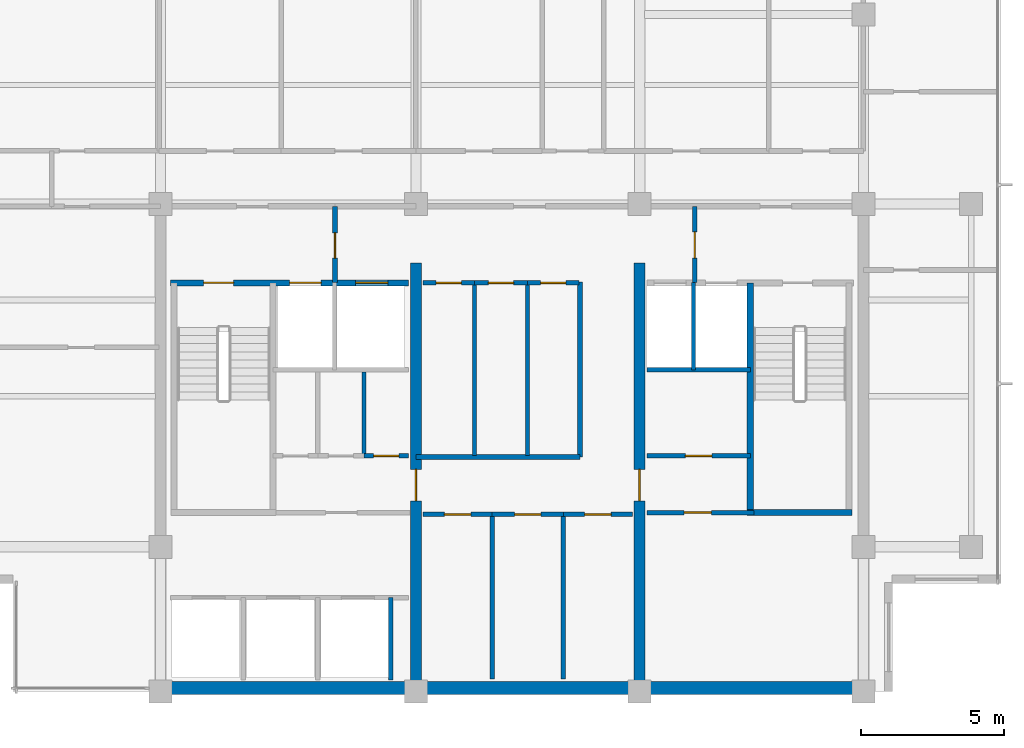
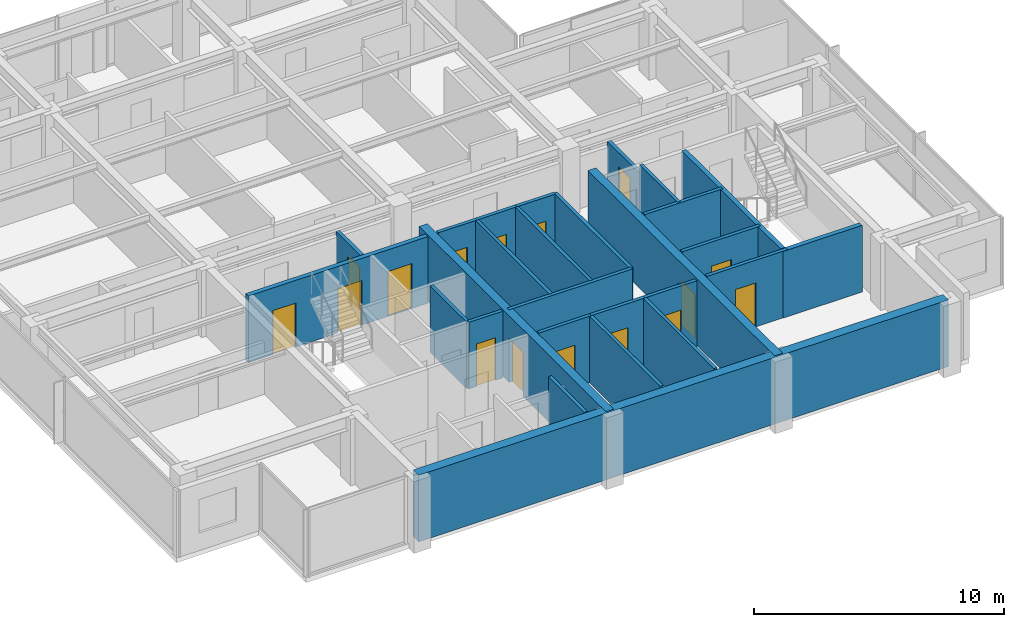
# One storey, part 6 of 11: 27 walls, 16 doors, 16 openings.
"""IFC4 building model written with IfcOpenShell, lengths in metres."""

import ifcopenshell
import ifcopenshell.guid

model = None  # the IFC model being written
_history = None  # IfcOwnerHistory: only IFC2X3 demands one
_inside = {}  # id of a spatial element -> (the spatial element, [elements in it])
_under = {}  # id of a project, library or spatial element -> (it, [spatial elements below it])
_declared = {}  # id of a project -> (the project, [libraries it declares])
_typed = {}  # id of a type object -> (the type object, [elements of that type])
_made_of = {}  # id of a material, layer set ... -> (it, [elements and type objects made of it])


def new_model(schema):
    """Start an empty IFC model of exactly this schema.

    Asked for "IFC4X3", IfcOpenShell would pick the latest addendum, in which some entities
    have other attributes; the version numbers below select the first issue.
    IFC2X3 requires an IfcOwnerHistory on every rooted entity: one is made here for all.
    """
    global model, _history
    if schema == "IFC4X3":
        model = ifcopenshell.file(schema_version=(4, 3, 0, 0))
    else:
        model = ifcopenshell.file(schema=schema)
    _inside.clear()
    _under.clear()
    _declared.clear()
    _typed.clear()
    _made_of.clear()
    _history = None
    if model.schema == "IFC2X3":
        org = make("IfcOrganization", Name="unknown")
        user = make(
            "IfcPersonAndOrganization",
            ThePerson=make("IfcPerson", FamilyName="unknown"),
            TheOrganization=org,
        )
        app = make(
            "IfcApplication",
            ApplicationDeveloper=org,
            Version="unknown",
            ApplicationFullName="unknown",
            ApplicationIdentifier="unknown",
        )
        _history = make(
            "IfcOwnerHistory",
            OwningUser=user,
            OwningApplication=app,
            ChangeAction="ADDED",
            CreationDate=0,
        )
    return model


def make(cls, **values):
    """One entity of the class cls with the attributes given. An attribute that is None is left unset."""
    return model.create_entity(
        cls, **{name: value for name, value in values.items() if value is not None}
    )


def rooted(cls, **values):
    """An entity with a GlobalId (a new one), such as an element, a storey or a relation."""
    return make(cls, GlobalId=ifcopenshell.guid.new(), OwnerHistory=_history, **values)


def si_unit(unit_type, name, prefix=None):
    """IfcSIUnit, for example si_unit("LENGTHUNIT", "METRE", prefix="MILLI")."""
    return make("IfcSIUnit", UnitType=unit_type, Prefix=prefix, Name=name)


def assignment(units):
    """IfcUnitAssignment: the units of a project."""
    return None if units is None else make("IfcUnitAssignment", Units=units)


def point(xyz):
    """IfcCartesianPoint."""
    return None if xyz is None else make("IfcCartesianPoint", Coordinates=xyz)


def direction(xyz):
    """IfcDirection."""
    return None if xyz is None else make("IfcDirection", DirectionRatios=xyz)


def frame(location, z_axis=None, x_axis=None):
    """IfcAxis2Placement3D, a coordinate frame: its origin and axes. An axis left out is left unset."""
    return make(
        "IfcAxis2Placement3D",
        Location=point(location),
        Axis=direction(z_axis),
        RefDirection=direction(x_axis),
    )


def frame_2d(location, x_axis=None):
    """IfcAxis2Placement2D, a coordinate frame in the plane: its origin and x axis."""
    return make(
        "IfcAxis2Placement2D", Location=point(location), RefDirection=direction(x_axis)
    )


def origin():
    """The frame at (0, 0, 0) with its axes left unset."""
    return frame((0.0, 0.0, 0.0))


def place(relative_to, where):
    """IfcLocalPlacement: puts the frame where relative to a parent placement (None: the world)."""
    return make(
        "IfcLocalPlacement", PlacementRelTo=relative_to, RelativePlacement=where
    )


def context(
    kind, dimensions, precision=None, world=None, true_north=None, identifier=None
):
    """IfcGeometricRepresentationContext, for example the 3D "Model" context."""
    return make(
        "IfcGeometricRepresentationContext",
        ContextIdentifier=identifier,
        ContextType=kind,
        CoordinateSpaceDimension=dimensions,
        Precision=precision,
        WorldCoordinateSystem=world,
        TrueNorth=true_north,
    )


def subcontext(parent, identifier, kind, view, scale=None):
    """IfcGeometricRepresentationSubContext, for example "Body" below "Model"."""
    return make(
        "IfcGeometricRepresentationSubContext",
        ContextIdentifier=identifier,
        ContextType=kind,
        ParentContext=parent,
        TargetScale=scale,
        TargetView=view,
    )


def project(units=None, contexts=None):
    """IfcProject with its units and contexts."""
    return rooted(
        "IfcProject",
        Name="project",
        RepresentationContexts=contexts,
        UnitsInContext=assignment(units),
    )


def spatial(cls, under=None, at=None, **own):
    """A site, building, storey or space (cls), placed at a placement, below another one or the project."""
    s = rooted(cls, ObjectPlacement=at, **own)
    if under is not None:
        _under.setdefault(under.id(), (under, []))[1].append(s)
    return s


def profile(cls, at=None, kind="AREA", **sizes):
    """A parametric profile (cls). Its sizes go by their IFC names, for example OverallWidth=200.0."""
    return make(cls, ProfileType=kind, Position=at, **sizes)


def rectangle(**sizes):
    """IfcRectangleProfileDef."""
    return profile("IfcRectangleProfileDef", **sizes)


def extrude(swept, where, along, depth):
    """IfcExtrudedAreaSolid: the profile swept, set in the frame where, extruded along a direction by depth."""
    return make(
        "IfcExtrudedAreaSolid",
        SweptArea=swept,
        Position=where,
        ExtrudedDirection=direction(along),
        Depth=depth,
    )


def shape(context_of_items, identifier, shape_type, items):
    """IfcShapeRepresentation: the items that make up one representation, for example the "Body"."""
    return make(
        "IfcShapeRepresentation",
        ContextOfItems=context_of_items,
        RepresentationIdentifier=identifier,
        RepresentationType=shape_type,
        Items=items,
    )


def material(Name=None, Category=None):
    """IfcMaterial."""
    return make("IfcMaterial", Name=Name, Category=Category)


def layer(
    of_material, thickness, ventilated=None, Name=None, Category=None, Priority=None
):
    """IfcMaterialLayer: one layer of a wall or slab, of a material (None: an air gap)."""
    return make(
        "IfcMaterialLayer",
        Material=of_material,
        LayerThickness=thickness,
        IsVentilated=ventilated,
        Name=Name,
        Category=Category,
        Priority=Priority,
    )


def layer_set(layers, Name=None):
    """IfcMaterialLayerSet."""
    return make("IfcMaterialLayerSet", MaterialLayers=layers, LayerSetName=Name)


def made_of(thing, what):
    """Note that an element or type object is made of a material, layer set ...; save() writes the relation."""
    if what is not None:
        _made_of.setdefault(what.id(), (what, []))[1].append(thing)
    return thing


def type_object(cls, material=None, **own):
    """A type object (cls), such as IfcWallType, which elements share."""
    return made_of(rooted(cls, **own), material)


def element(
    cls,
    number,
    at=None,
    inside=None,
    cuts=None,
    type_object=None,
    material=None,
    context=None,
    identifier="Body",
    shape_type=None,
    held_by="IfcProductDefinitionShape",
    body=None,
    shapes=None,
    **own,
):
    """One element of the class cls, such as IfcWall. Its Tag is "e" and its number.

    at: its placement. inside: the storey or other place that contains it. cuts: it is an
    opening in that element (IfcRelVoidsElement). A single representation is given by context,
    identifier, shape_type and body (its items); several are given by shapes. held_by: the class
    of the entity that holds the representations. save() writes the other relations.
    """
    e = rooted(cls, Tag="e%d" % number, ObjectPlacement=at, **own)
    if body is not None:
        shapes = [shape(context, identifier, shape_type, body)]
    if shapes is not None:
        e.Representation = make(held_by, Representations=shapes)
    if inside is not None:
        _inside.setdefault(inside.id(), (inside, []))[1].append(e)
    if cuts is not None:
        rooted(
            "IfcRelVoidsElement", RelatingBuildingElement=cuts, RelatedOpeningElement=e
        )
    if type_object is not None:
        _typed.setdefault(type_object.id(), (type_object, []))[1].append(e)
    return made_of(e, material)


def fill(opening, filler):
    """IfcRelFillsElement: the door or window that sits in an opening."""
    return rooted(
        "IfcRelFillsElement",
        RelatingOpeningElement=opening,
        RelatedBuildingElement=filler,
    )


def aggregate(whole, parts):
    """IfcRelAggregates: a whole, such as a stair, and the parts it consists of."""
    return rooted("IfcRelAggregates", RelatingObject=whole, RelatedObjects=parts)


def save(model, path):
    """Write the relations noted so far, then the file.

    IfcRelAggregates (storeys below a building ...), IfcRelContainedInSpatialStructure (elements
    in a storey), IfcRelDefinesByType, IfcRelAssociatesMaterial and IfcRelDeclares: one each for
    every whole, place, type object, material and project.
    """
    for whole, parts in _under.values():
        aggregate(whole, parts)
    for where, things in _inside.values():
        rooted(
            "IfcRelContainedInSpatialStructure",
            RelatedElements=things,
            RelatingStructure=where,
        )
    for kind, things in _typed.values():
        rooted("IfcRelDefinesByType", RelatedObjects=things, RelatingType=kind)
    for what, things in _made_of.values():
        rooted("IfcRelAssociatesMaterial", RelatedObjects=things, RelatingMaterial=what)
    for by, libraries in _declared.values():
        rooted("IfcRelDeclares", RelatingContext=by, RelatedDefinitions=libraries)
    model.write(path)


model = new_model("IFC4")

# Units and contexts
model_context = context("Model", 3, precision=1e-05, world=origin(), true_north=direction((0.0, 1.0)))
body_context = subcontext(model_context, "Body", "Model", "MODEL_VIEW")
ifc_project = project(units=[si_unit("LENGTHUNIT", "METRE"), si_unit("AREAUNIT", "SQUARE_METRE"), si_unit("VOLUMEUNIT", "CUBIC_METRE"), si_unit("PLANEANGLEUNIT", "RADIAN"), si_unit("MASSUNIT", "GRAM", prefix="KILO")], contexts=[model_context])

# Site, building, storey
site_placement = place(None, origin())
site = spatial("IfcSite", under=ifc_project, at=site_placement, CompositionType="ELEMENT")
building_placement = place(site_placement, origin())
building = spatial("IfcBuilding", under=site, at=building_placement, Name="Qalmaran Belvedere Hotel", CompositionType="ELEMENT")
storey_placement = place(building_placement, frame((0.0, 0.0, 256.39990234375)))
storey = spatial("IfcBuildingStorey", under=building, at=storey_placement, Name="L66", CompositionType="ELEMENT", Elevation=256.39990234375)

# Wall, opening, door
ifc_material_1 = material(Name="Concrete C50/60", Category="concrete")
ifc_layer_1 = layer(ifc_material_1, 0.3798828125, Name="Concrete C50/60")
ifc_layer_set_1 = layer_set([ifc_layer_1], Name="Concrete C50/60")
wall_type_1 = type_object("IfcWallType", Name="WL-CORE-380-C50", PredefinedType="SHEAR", material=ifc_layer_set_1)
wall_1_placement = place(storey_placement, frame((29.199951171875, 3.5, 0.0), z_axis=(0.0, 0.0, 1.0), x_axis=(0.0, 1.0, 0.0)))
wall_1 = element("IfcWall", 1, at=wall_1_placement, inside=storey, type_object=wall_type_1, Name="L66 Core West Spine Shear Wall", PredefinedType="SHEAR", context=body_context, shape_type="SweptSolid", body=[
    extrude(rectangle(XDim=14.949951171875, YDim=0.3798828125, at=frame_2d((7.47509765625, 0.0))), origin(), (0.0, 0.0, 1.0), 3.260009765625),
])
opening_1_placement = place(wall_1_placement, frame((7.75, 0.0, 0.0), z_axis=(0.0, 0.0, 1.0), x_axis=(-1.0, 0.0, 0.0)))
opening_1 = element("IfcOpeningElement", 2, at=opening_1_placement, cuts=wall_1, Name="Opening FD90", PredefinedType="OPENING", context=body_context, shape_type="SweptSolid", body=[
    extrude(rectangle(XDim=1.10009765625, YDim=2.14990234375, at=frame_2d((0.550048828125, 1.074951171875))), frame((0.0, 0.199951171875, 0.0), z_axis=(0.0, -1.0, 0.0), x_axis=(1.0, 0.0, 0.0)), (0.0, 0.0, 1.0), 0.39990234375),
])
ifc_material_2 = material(Name="Steel S355JR", Category="steel")
door_type_1 = type_object("IfcDoorType", Name="DR-FD90-1100X2150", OperationType="NOTDEFINED", PredefinedType="DOOR", material=ifc_material_2)
door_1_placement = place(opening_1_placement, origin())
door_1 = element("IfcDoor", 3, at=door_1_placement, inside=storey, type_object=door_type_1, Name="L66 Core West Cross-Lobby Door", OperationType="SINGLE_SWING_RIGHT", OverallHeight=2.14990234375, OverallWidth=1.10009765625, PredefinedType="DOOR", context=body_context, shape_type="SweptSolid", body=[
    extrude(rectangle(XDim=1.10009765625, YDim=2.14990234375, at=frame_2d((0.550048828125, 1.074951171875))), frame((0.0, 0.02490234375, 0.0), z_axis=(0.0, -1.0, 0.0), x_axis=(1.0, 0.0, 0.0)), (0.0, 0.0, 1.0), 0.050048828125),
])
fill(opening_1, door_1)

wall_2_placement = place(storey_placement, frame((37.0, 3.5, 0.0), z_axis=(0.0, 0.0, 1.0), x_axis=(0.0, 1.0, 0.0)))
wall_2 = element("IfcWall", 4, at=wall_2_placement, inside=storey, type_object=wall_type_1, Name="L66 Core East Spine Shear Wall", PredefinedType="SHEAR", context=body_context, shape_type="SweptSolid", body=[
    extrude(rectangle(XDim=14.949951171875, YDim=0.3798828125, at=frame_2d((7.47509765625, 0.0))), origin(), (0.0, 0.0, 1.0), 3.260009765625),
])
opening_2_placement = place(wall_2_placement, frame((6.64990234375, 0.0, 0.0)))
opening_2 = element("IfcOpeningElement", 5, at=opening_2_placement, cuts=wall_2, Name="Opening FD90", PredefinedType="OPENING", context=body_context, shape_type="SweptSolid", body=[
    extrude(rectangle(XDim=1.10009765625, YDim=2.14990234375, at=frame_2d((0.550048828125, 1.074951171875))), frame((0.0, 0.199951171875, 0.0), z_axis=(0.0, -1.0, 0.0), x_axis=(1.0, 0.0, 0.0)), (0.0, 0.0, 1.0), 0.39990234375),
])
door_2_placement = place(opening_2_placement, origin())
door_2 = element("IfcDoor", 6, at=door_2_placement, inside=storey, type_object=door_type_1, Name="L66 Core East Cross-Lobby Door", OperationType="SINGLE_SWING_LEFT", OverallHeight=2.14990234375, OverallWidth=1.10009765625, PredefinedType="DOOR", context=body_context, shape_type="SweptSolid", body=[
    extrude(rectangle(XDim=1.10009765625, YDim=2.14990234375, at=frame_2d((0.550048828125, 1.074951171875))), frame((0.0, 0.02490234375, 0.0), z_axis=(0.0, -1.0, 0.0), x_axis=(1.0, 0.0, 0.0)), (0.0, 0.0, 1.0), 0.050048828125),
])
fill(opening_2, door_2)

# Walls
ifc_layer_2 = layer(ifc_material_1, 0.43994140625, Name="Concrete C50/60")
ifc_layer_set_2 = layer_set([ifc_layer_2], Name="Concrete C50/60")
wall_type_2 = type_object("IfcWallType", Name="WL-CORES-440-EXT", PredefinedType="SHEAR", material=ifc_layer_set_2)
wall_3_placement = place(storey_placement, frame((20.300048828125, 3.6298828125, 0.0), z_axis=(0.0, 0.0, 1.0), x_axis=(1.0, 0.0, 0.0)))
element("IfcWall", 7, at=wall_3_placement, inside=storey, type_object=wall_type_2, Name="L66 South Core Shear Wall", PredefinedType="SHEAR", context=body_context, shape_type="SweptSolid", body=[
    extrude(rectangle(XDim=24.5, YDim=0.43994140625, at=frame_2d((12.25, 0.0))), origin(), (0.0, 0.0, 1.0), 3.260009765625),
])
ifc_material_3 = material(Name="Gypsum Stud Partition")
ifc_layer_3 = layer(ifc_material_3, 0.14990234375, Name="Gypsum Stud Partition")
ifc_layer_set_3 = layer_set([ifc_layer_3], Name="Gypsum Stud Partition")
wall_type_3 = type_object("IfcWallType", Name="WL-INT-150-EI120", PredefinedType="PARTITIONING", material=ifc_layer_set_3)
wall_4_placement = place(storey_placement, frame((38.8798828125, 14.719970703125, 0.0), z_axis=(0.0, 0.0, 1.0), x_axis=(0.0, 1.0, 0.0)))
element("IfcWall", 8, at=wall_4_placement, inside=storey, type_object=wall_type_3, Name="L66 Partition WL-FF2M-L66", PredefinedType="PARTITIONING", context=body_context, shape_type="SweptSolid", body=[
    extrude(rectangle(XDim=3.0400390625, YDim=0.14990234375, at=frame_2d((1.52001953125, 0.0))), origin(), (0.0, 0.0, 1.0), 3.260009765625),
])
wall_5_placement = place(storey_placement, frame((28.320068359375, 3.89990234375, 0.0), z_axis=(0.0, 0.0, 1.0), x_axis=(0.0, 1.0, 0.0)))
element("IfcWall", 9, at=wall_5_placement, inside=storey, type_object=wall_type_3, Name="L66 Partition WL-POM3-L66", PredefinedType="PARTITIONING", context=body_context, shape_type="SweptSolid", body=[
    extrude(rectangle(XDim=2.880126953125, YDim=0.14990234375, at=frame_2d((1.43994140625, 0.0))), origin(), (0.0, 0.0, 1.0), 3.260009765625),
])
ifc_layer_4 = layer(ifc_material_3, 0.14990234375, Name="Gypsum Stud Partition")
ifc_layer_set_4 = layer_set([ifc_layer_4], Name="Gypsum Stud Partition")
wall_type_4 = type_object("IfcWallType", Name="WL-INT-150-EI60", PredefinedType="PARTITIONING", material=ifc_layer_set_4)
wall_6_placement = place(storey_placement, frame((27.38916015625, 11.719970703125, 0.0), z_axis=(0.0, 0.0, 1.0), x_axis=(0.0, 1.0, 0.0)))
element("IfcWall", 10, at=wall_6_placement, inside=storey, type_object=wall_type_4, Name="L66 Partition WL-L66-KWV2", PredefinedType="PARTITIONING", context=body_context, shape_type="SweptSolid", body=[
    extrude(rectangle(XDim=2.929931640625, YDim=0.14990234375, at=frame_2d((1.46484375, 0.0))), origin(), (0.0, 0.0, 1.0), 3.260009765625),
])
for number, where, z_axis, x_axis, name in (
    (11, (31.85888671875, 3.949951171875, 0.0), (0.0, 0.0, 1.0), (0.0, 1.0, 0.0), "L66 Partition WL-L66-KPLV1"),
    (12, (34.341064453125, 3.949951171875, 0.0), (0.0, 0.0, 1.0), (0.0, 1.0, 0.0), "L66 Partition WL-L66-KPLV2"),
):
    element("IfcWall", number, at=place(storey_placement, frame(where, z_axis=z_axis, x_axis=x_axis)), inside=storey, type_object=wall_type_4, Name=name, PredefinedType="PARTITIONING", context=body_context, shape_type="SweptSolid", body=[
        extrude(rectangle(XDim=5.72998046875, YDim=0.14990234375, at=frame_2d((2.864990234375, 0.0))), origin(), (0.0, 0.0, 1.0), 3.260009765625),
    ])
for number, where, z_axis, x_axis, name in (
    (13, (31.241943359375, 11.739990234375, 0.0), (0.0, 0.0, 1.0), (0.0, 1.0, 0.0), "L66 Partition WL-L66-KPMV1"),
    (14, (33.088134765625, 11.739990234375, 0.0), (0.0, 0.0, 1.0), (0.0, 1.0, 0.0), "L66 Partition WL-L66-KPMV2"),
):
    element("IfcWall", number, at=place(storey_placement, frame(where, z_axis=z_axis, x_axis=x_axis)), inside=storey, type_object=wall_type_4, Name=name, PredefinedType="PARTITIONING", context=body_context, shape_type="SweptSolid", body=[
        extrude(rectangle(XDim=6.010009765625, YDim=0.14990234375, at=frame_2d((3.0048828125, 0.0))), origin(), (0.0, 0.0, 1.0), 3.260009765625),
    ])

# Wall, opening, door
ifc_layer_5 = layer(ifc_material_3, 0.159912109375, Name="Gypsum Stud Partition")
ifc_layer_set_5 = layer_set([ifc_layer_5], Name="Gypsum Stud Partition")
wall_type_5 = type_object("IfcWallType", Name="WL-INT-160-EI120", PredefinedType="PARTITIONING", material=ifc_layer_set_5)
wall_7_placement = place(storey_placement, frame((26.3798828125, 17.760009765625, 0.0), z_axis=(0.0, 0.0, 1.0), x_axis=(0.0, 1.0, 0.0)))
wall_7 = element("IfcWall", 15, at=wall_7_placement, inside=storey, type_object=wall_type_5, Name="L66 Partition WL-FFSV1-L66", PredefinedType="PARTITIONING", context=body_context, shape_type="SweptSolid", body=[
    extrude(rectangle(XDim=2.659912109375, YDim=0.159912109375, at=frame_2d((1.330078125, 0.0))), origin(), (0.0, 0.0, 1.0), 2.781982421875),
])
opening_3_placement = place(wall_7_placement, frame((0.85009765625, 0.0, 0.0)))
opening_3 = element("IfcOpeningElement", 16, at=opening_3_placement, cuts=wall_7, Name="Opening FD60B", PredefinedType="OPENING", context=body_context, shape_type="SweptSolid", body=[
    extrude(rectangle(XDim=0.8798828125, YDim=2.080078125, at=frame_2d((0.43994140625, 1.0400390625))), frame((0.0, 0.08984375, 0.0), z_axis=(0.0, -1.0, 0.0), x_axis=(1.0, 0.0, 0.0)), (0.0, 0.0, 1.0), 0.179931640625),
])
door_type_2 = type_object("IfcDoorType", Name="DR-FD60B-880X2080", OperationType="NOTDEFINED", PredefinedType="DOOR", material=ifc_material_2)
door_3_placement = place(opening_3_placement, origin())
door_3 = element("IfcDoor", 17, at=door_3_placement, inside=storey, type_object=door_type_2, Name="L66 Service Lobby West Door", OperationType="SINGLE_SWING_RIGHT", OverallHeight=2.080078125, OverallWidth=0.8798828125, PredefinedType="DOOR", context=body_context, shape_type="SweptSolid", body=[
    extrude(rectangle(XDim=0.8798828125, YDim=2.080078125, at=frame_2d((0.43994140625, 1.0400390625))), frame((0.0, 0.02490234375, 0.0), z_axis=(0.0, -1.0, 0.0), x_axis=(1.0, 0.0, 0.0)), (0.0, 0.0, 1.0), 0.050048828125),
])
fill(opening_3, door_3)

wall_8_placement = place(storey_placement, frame((38.919921875, 17.760009765625, 0.0), z_axis=(0.0, 0.0, 1.0), x_axis=(0.0, 1.0, 0.0)))
wall_8 = element("IfcWall", 18, at=wall_8_placement, inside=storey, type_object=wall_type_5, Name="L66 Partition WL-FFSV2-L66", PredefinedType="PARTITIONING", context=body_context, shape_type="SweptSolid", body=[
    extrude(rectangle(XDim=2.659912109375, YDim=0.159912109375, at=frame_2d((1.330078125, 0.0))), origin(), (0.0, 0.0, 1.0), 2.781982421875),
])
opening_4_placement = place(wall_8_placement, frame((1.77001953125, 0.0, 0.0), z_axis=(0.0, 0.0, 1.0), x_axis=(-1.0, 0.0, 0.0)))
opening_4 = element("IfcOpeningElement", 19, at=opening_4_placement, cuts=wall_8, Name="Opening FD60S1", PredefinedType="OPENING", context=body_context, shape_type="SweptSolid", body=[
    extrude(rectangle(XDim=0.919921875, YDim=2.080078125, at=frame_2d((0.4599609375, 1.0400390625))), frame((0.0, 0.08984375, 0.0), z_axis=(0.0, -1.0, 0.0), x_axis=(1.0, 0.0, 0.0)), (0.0, 0.0, 1.0), 0.179931640625),
])
ifc_material_4 = material(Name="Engineered Oak Veneer")
door_type_3 = type_object("IfcDoorType", Name="DR-FD60S-920X2080", OperationType="NOTDEFINED", PredefinedType="DOOR", material=ifc_material_4)
door_4_placement = place(opening_4_placement, origin())
door_4 = element("IfcDoor", 20, at=door_4_placement, inside=storey, type_object=door_type_3, Name="L66 Service Lobby East Door", OperationType="SINGLE_SWING_LEFT", OverallHeight=2.080078125, OverallWidth=0.919921875, PredefinedType="DOOR", context=body_context, shape_type="SweptSolid", body=[
    extrude(rectangle(XDim=0.919921875, YDim=2.080078125, at=frame_2d((0.4599609375, 1.0400390625))), frame((0.0, 0.02490234375, 0.0), z_axis=(0.0, -1.0, 0.0), x_axis=(1.0, 0.0, 0.0)), (0.0, 0.0, 1.0), 0.050048828125),
])
fill(opening_4, door_4)

# Wall
wall_9_placement = place(storey_placement, frame((37.25, 14.719970703125, 0.0), z_axis=(0.0, 0.0, 1.0), x_axis=(1.0, 0.0, 0.0)))
element("IfcWall", 21, at=wall_9_placement, inside=storey, type_object=wall_type_5, Name="L66 Partition WL-FF2S-L66", PredefinedType="PARTITIONING", context=body_context, shape_type="SweptSolid", body=[
    extrude(rectangle(XDim=3.610107421875, YDim=0.159912109375, at=frame_2d((1.80517578125, 0.0))), origin(), (0.0, 0.0, 1.0), 3.260009765625),
])

# Wall, opening, door
ifc_layer_6 = layer(ifc_material_3, 0.159912109375, Name="Gypsum Stud Partition")
ifc_layer_set_6 = layer_set([ifc_layer_6], Name="Gypsum Stud Partition")
wall_type_6 = type_object("IfcWallType", Name="WL-INT-160-EI60", PredefinedType="PARTITIONING", material=ifc_layer_set_6)
wall_10_placement = place(storey_placement, frame((27.38916015625, 11.719970703125, 0.0), z_axis=(0.0, 0.0, 1.0), x_axis=(1.0, 0.0, 0.0)))
wall_10 = element("IfcWall", 22, at=wall_10_placement, inside=storey, type_object=wall_type_6, Name="L66 Partition WL-L66-KWE3", PredefinedType="PARTITIONING", context=body_context, shape_type="SweptSolid", body=[
    extrude(rectangle(XDim=1.560791015625, YDim=0.159912109375, at=frame_2d((0.7802734375, 0.0))), origin(), (0.0, 0.0, 1.0), 3.260009765625),
])
opening_5_placement = place(wall_10_placement, frame((0.340576171875, 0.0, 0.0)))
opening_5 = element("IfcOpeningElement", 23, at=opening_5_placement, cuts=wall_10, Name="Opening FD60B", PredefinedType="OPENING", context=body_context, shape_type="SweptSolid", body=[
    extrude(rectangle(XDim=0.8798828125, YDim=2.080078125, at=frame_2d((0.43994140625, 1.0400390625))), frame((0.0, 0.08984375, 0.0), z_axis=(0.0, -1.0, 0.0), x_axis=(1.0, 0.0, 0.0)), (0.0, 0.0, 1.0), 0.179931640625),
])
door_5_placement = place(opening_5_placement, origin())
door_5 = element("IfcDoor", 24, at=door_5_placement, inside=storey, type_object=door_type_2, Name="L66 Telecom and IT Room Door", OperationType="SINGLE_SWING_LEFT", OverallHeight=2.080078125, OverallWidth=0.8798828125, PredefinedType="DOOR", context=body_context, shape_type="SweptSolid", body=[
    extrude(rectangle(XDim=0.8798828125, YDim=2.080078125, at=frame_2d((0.43994140625, 1.0400390625))), frame((0.0, 0.02490234375, 0.0), z_axis=(0.0, -1.0, 0.0), x_axis=(1.0, 0.0, 0.0)), (0.0, 0.0, 1.0), 0.050048828125),
])
fill(opening_5, door_5)

wall_11_placement = place(storey_placement, frame((37.25, 11.719970703125, 0.0), z_axis=(0.0, 0.0, 1.0), x_axis=(1.0, 0.0, 0.0)))
wall_11 = element("IfcWall", 25, at=wall_11_placement, inside=storey, type_object=wall_type_6, Name="L66 Partition WL-L66-KEE1", PredefinedType="PARTITIONING", context=body_context, shape_type="SweptSolid", body=[
    extrude(rectangle(XDim=3.610107421875, YDim=0.159912109375, at=frame_2d((1.80517578125, 0.0))), origin(), (0.0, 0.0, 1.0), 3.260009765625),
])
opening_6_placement = place(wall_11_placement, frame((1.344970703125, 0.0, 0.0)))
opening_6 = element("IfcOpeningElement", 26, at=opening_6_placement, cuts=wall_11, Name="Opening FD60S1", PredefinedType="OPENING", context=body_context, shape_type="SweptSolid", body=[
    extrude(rectangle(XDim=0.919921875, YDim=2.080078125, at=frame_2d((0.4599609375, 1.0400390625))), frame((0.0, 0.08984375, 0.0), z_axis=(0.0, -1.0, 0.0), x_axis=(1.0, 0.0, 0.0)), (0.0, 0.0, 1.0), 0.179931640625),
])
door_6_placement = place(opening_6_placement, origin())
door_6 = element("IfcDoor", 27, at=door_6_placement, inside=storey, type_object=door_type_3, Name="L66 Guest Ice and Beverage Pantry Door", OperationType="SINGLE_SWING_RIGHT", OverallHeight=2.080078125, OverallWidth=0.919921875, PredefinedType="DOOR", context=body_context, shape_type="SweptSolid", body=[
    extrude(rectangle(XDim=0.919921875, YDim=2.080078125, at=frame_2d((0.4599609375, 1.0400390625))), frame((0.0, 0.02490234375, 0.0), z_axis=(0.0, -1.0, 0.0), x_axis=(1.0, 0.0, 0.0)), (0.0, 0.0, 1.0), 0.050048828125),
])
fill(opening_6, door_6)

wall_12_placement = place(storey_placement, frame((37.25, 9.739990234375, 0.0), z_axis=(0.0, 0.0, 1.0), x_axis=(1.0, 0.0, 0.0)))
wall_12 = element("IfcWall", 28, at=wall_12_placement, inside=storey, type_object=wall_type_6, Name="L66 Partition WL-PHFR-L66", PredefinedType="PARTITIONING", context=body_context, shape_type="SweptSolid", body=[
    extrude(rectangle(XDim=3.72998046875, YDim=0.159912109375, at=frame_2d((1.864990234375, 0.0))), origin(), (0.0, 0.0, 1.0), 3.260009765625),
])
opening_7_placement = place(wall_12_placement, frame((2.25, 0.0, 0.0), z_axis=(0.0, 0.0, 1.0), x_axis=(-1.0, 0.0, 0.0)))
opening_7 = element("IfcOpeningElement", 29, at=opening_7_placement, cuts=wall_12, Name="Opening FD60", PredefinedType="OPENING", context=body_context, shape_type="SweptSolid", body=[
    extrude(rectangle(XDim=0.949951171875, YDim=2.14990234375, at=frame_2d((0.47509765625, 1.074951171875))), frame((0.0, 0.08984375, 0.0), z_axis=(0.0, -1.0, 0.0), x_axis=(1.0, 0.0, 0.0)), (0.0, 0.0, 1.0), 0.179931640625),
])
door_type_4 = type_object("IfcDoorType", Name="DR-FD60-950X2150", OperationType="NOTDEFINED", PredefinedType="DOOR", material=ifc_material_4)
door_7_placement = place(opening_7_placement, origin())
door_7 = element("IfcDoor", 30, at=door_7_placement, inside=storey, type_object=door_type_4, Name="L66 Freed PH Room Door", OperationType="SINGLE_SWING_RIGHT", OverallHeight=2.14990234375, OverallWidth=0.949951171875, PredefinedType="DOOR", context=body_context, shape_type="SweptSolid", body=[
    extrude(rectangle(XDim=0.949951171875, YDim=2.14990234375, at=frame_2d((0.47509765625, 1.074951171875))), frame((0.0, 0.02490234375, 0.0), z_axis=(0.0, -1.0, 0.0), x_axis=(1.0, 0.0, 0.0)), (0.0, 0.0, 1.0), 0.050048828125),
])
fill(opening_7, door_7)

# Wall
wall_13_placement = place(storey_placement, frame((34.919921875, 11.679931640625, 0.0), z_axis=(0.0, 0.0, 1.0), x_axis=(0.0, 1.0, 0.0)))
element("IfcWall", 31, at=wall_13_placement, inside=storey, type_object=wall_type_6, Name="L66 Partition WL-CLLV-L66", PredefinedType="PARTITIONING", context=body_context, shape_type="SweptSolid", body=[
    extrude(rectangle(XDim=6.10009765625, YDim=0.159912109375, at=frame_2d((3.050048828125, 0.0))), origin(), (0.0, 0.0, 1.0), 3.260009765625),
])

# Wall, opening, door
wall_14_placement = place(storey_placement, frame((29.449951171875, 9.679931640625, 0.0), z_axis=(0.0, 0.0, 1.0), x_axis=(1.0, 0.0, 0.0)))
wall_14 = element("IfcWall", 32, at=wall_14_placement, inside=storey, type_object=wall_type_6, Name="L66 Partition WL-L66-KPLE1", PredefinedType="PARTITIONING", context=body_context, shape_type="SweptSolid", body=[
    extrude(rectangle(XDim=2.408935546875, YDim=0.159912109375, at=frame_2d((1.20458984375, 0.0))), origin(), (0.0, 0.0, 1.0), 3.260009765625),
])
opening_8_placement = place(wall_14_placement, frame((1.664306640625, 0.0, 0.0), z_axis=(0.0, 0.0, 1.0), x_axis=(-1.0, 0.0, 0.0)))
opening_8 = element("IfcOpeningElement", 33, at=opening_8_placement, cuts=wall_14, Name="Opening FD60S1", PredefinedType="OPENING", context=body_context, shape_type="SweptSolid", body=[
    extrude(rectangle(XDim=0.919921875, YDim=2.080078125, at=frame_2d((0.4599609375, 1.0400390625))), frame((0.0, 0.08984375, 0.0), z_axis=(0.0, -1.0, 0.0), x_axis=(1.0, 0.0, 0.0)), (0.0, 0.0, 1.0), 0.179931640625),
])
door_8_placement = place(opening_8_placement, origin())
door_8 = element("IfcDoor", 34, at=door_8_placement, inside=storey, type_object=door_type_3, Name="L66 Housekeeping and Linen Room Door", OperationType="SINGLE_SWING_LEFT", OverallHeight=2.080078125, OverallWidth=0.919921875, PredefinedType="DOOR", context=body_context, shape_type="SweptSolid", body=[
    extrude(rectangle(XDim=0.919921875, YDim=2.080078125, at=frame_2d((0.4599609375, 1.0400390625))), frame((0.0, 0.02490234375, 0.0), z_axis=(0.0, -1.0, 0.0), x_axis=(1.0, 0.0, 0.0)), (0.0, 0.0, 1.0), 0.050048828125),
])
fill(opening_8, door_8)

wall_15_placement = place(storey_placement, frame((31.85888671875, 9.679931640625, 0.0), z_axis=(0.0, 0.0, 1.0), x_axis=(1.0, 0.0, 0.0)))
wall_15 = element("IfcWall", 35, at=wall_15_placement, inside=storey, type_object=wall_type_6, Name="L66 Partition WL-L66-KPLE2", PredefinedType="PARTITIONING", context=body_context, shape_type="SweptSolid", body=[
    extrude(rectangle(XDim=2.482177734375, YDim=0.159912109375, at=frame_2d((1.2412109375, 0.0))), origin(), (0.0, 0.0, 1.0), 3.260009765625),
])
opening_9_placement = place(wall_15_placement, frame((1.700927734375, 0.0, 0.0), z_axis=(0.0, 0.0, 1.0), x_axis=(-1.0, 0.0, 0.0)))
opening_9 = element("IfcOpeningElement", 36, at=opening_9_placement, cuts=wall_15, Name="Opening FD60S1", PredefinedType="OPENING", context=body_context, shape_type="SweptSolid", body=[
    extrude(rectangle(XDim=0.919921875, YDim=2.080078125, at=frame_2d((0.4599609375, 1.0400390625))), frame((0.0, 0.08984375, 0.0), z_axis=(0.0, -1.0, 0.0), x_axis=(1.0, 0.0, 0.0)), (0.0, 0.0, 1.0), 0.179931640625),
])
door_9_placement = place(opening_9_placement, origin())
door_9 = element("IfcDoor", 37, at=door_9_placement, inside=storey, type_object=door_type_3, Name="L66 Hotel Butler Service Pantry Door", OperationType="SINGLE_SWING_RIGHT", OverallHeight=2.080078125, OverallWidth=0.919921875, PredefinedType="DOOR", context=body_context, shape_type="SweptSolid", body=[
    extrude(rectangle(XDim=0.919921875, YDim=2.080078125, at=frame_2d((0.4599609375, 1.0400390625))), frame((0.0, 0.02490234375, 0.0), z_axis=(0.0, -1.0, 0.0), x_axis=(1.0, 0.0, 0.0)), (0.0, 0.0, 1.0), 0.050048828125),
])
fill(opening_9, door_9)

wall_16_placement = place(storey_placement, frame((34.341064453125, 9.679931640625, 0.0), z_axis=(0.0, 0.0, 1.0), x_axis=(1.0, 0.0, 0.0)))
wall_16 = element("IfcWall", 38, at=wall_16_placement, inside=storey, type_object=wall_type_6, Name="L66 Partition WL-L66-KPLE3", PredefinedType="PARTITIONING", context=body_context, shape_type="SweptSolid", body=[
    extrude(rectangle(XDim=2.408935546875, YDim=0.159912109375, at=frame_2d((1.20458984375, 0.0))), origin(), (0.0, 0.0, 1.0), 3.260009765625),
])
opening_10_placement = place(wall_16_placement, frame((1.664306640625, 0.0, 0.0), z_axis=(0.0, 0.0, 1.0), x_axis=(-1.0, 0.0, 0.0)))
opening_10 = element("IfcOpeningElement", 39, at=opening_10_placement, cuts=wall_16, Name="Opening FD60S1", PredefinedType="OPENING", context=body_context, shape_type="SweptSolid", body=[
    extrude(rectangle(XDim=0.919921875, YDim=2.080078125, at=frame_2d((0.4599609375, 1.0400390625))), frame((0.0, 0.08984375, 0.0), z_axis=(0.0, -1.0, 0.0), x_axis=(1.0, 0.0, 0.0)), (0.0, 0.0, 1.0), 0.179931640625),
])
door_10_placement = place(opening_10_placement, origin())
door_10 = element("IfcDoor", 40, at=door_10_placement, inside=storey, type_object=door_type_3, Name="L66 Guest Valet Supply Store Door", OperationType="SINGLE_SWING_LEFT", OverallHeight=2.080078125, OverallWidth=0.919921875, PredefinedType="DOOR", context=body_context, shape_type="SweptSolid", body=[
    extrude(rectangle(XDim=0.919921875, YDim=2.080078125, at=frame_2d((0.4599609375, 1.0400390625))), frame((0.0, 0.02490234375, 0.0), z_axis=(0.0, -1.0, 0.0), x_axis=(1.0, 0.0, 0.0)), (0.0, 0.0, 1.0), 0.050048828125),
])
fill(opening_10, door_10)

# Wall
wall_17_placement = place(storey_placement, frame((29.199951171875, 11.679931640625, 0.0), z_axis=(0.0, 0.0, 1.0), x_axis=(1.0, 0.0, 0.0)))
element("IfcWall", 41, at=wall_17_placement, inside=storey, type_object=wall_type_6, Name="L66 Partition WL-PMFS-L66", PredefinedType="PARTITIONING", context=body_context, shape_type="SweptSolid", body=[
    extrude(rectangle(XDim=5.719970703125, YDim=0.159912109375, at=frame_2d((2.85986328125, 0.0))), origin(), (0.0, 0.0, 1.0), 3.260009765625),
])

# Wall, opening, door
wall_18_placement = place(storey_placement, frame((29.449951171875, 17.75, 0.0), z_axis=(0.0, 0.0, 1.0), x_axis=(1.0, 0.0, 0.0)))
wall_18 = element("IfcWall", 42, at=wall_18_placement, inside=storey, type_object=wall_type_6, Name="L66 Partition WL-L66-KPME1", PredefinedType="PARTITIONING", context=body_context, shape_type="SweptSolid", body=[
    extrude(rectangle(XDim=1.7919921875, YDim=0.159912109375, at=frame_2d((0.89599609375, 0.0))), origin(), (0.0, 0.0, 1.0), 3.260009765625),
])
opening_11_placement = place(wall_18_placement, frame((1.3359375, 0.0, 0.0), z_axis=(0.0, 0.0, 1.0), x_axis=(-1.0, 0.0, 0.0)))
opening_11 = element("IfcOpeningElement", 43, at=opening_11_placement, cuts=wall_18, Name="Opening FD60B", PredefinedType="OPENING", context=body_context, shape_type="SweptSolid", body=[
    extrude(rectangle(XDim=0.8798828125, YDim=2.080078125, at=frame_2d((0.43994140625, 1.0400390625))), frame((0.0, 0.08984375, 0.0), z_axis=(0.0, -1.0, 0.0), x_axis=(1.0, 0.0, 0.0)), (0.0, 0.0, 1.0), 0.179931640625),
])
door_11_placement = place(opening_11_placement, origin())
door_11 = element("IfcDoor", 44, at=door_11_placement, inside=storey, type_object=door_type_2, Name="L66 Executive Butler Pantry Door", OperationType="SINGLE_SWING_RIGHT", OverallHeight=2.080078125, OverallWidth=0.8798828125, PredefinedType="DOOR", context=body_context, shape_type="SweptSolid", body=[
    extrude(rectangle(XDim=0.8798828125, YDim=2.080078125, at=frame_2d((0.43994140625, 1.0400390625))), frame((0.0, 0.02490234375, 0.0), z_axis=(0.0, -1.0, 0.0), x_axis=(1.0, 0.0, 0.0)), (0.0, 0.0, 1.0), 0.050048828125),
])
fill(opening_11, door_11)

wall_19_placement = place(storey_placement, frame((31.241943359375, 17.75, 0.0), z_axis=(0.0, 0.0, 1.0), x_axis=(1.0, 0.0, 0.0)))
wall_19 = element("IfcWall", 45, at=wall_19_placement, inside=storey, type_object=wall_type_6, Name="L66 Partition WL-L66-KPME2", PredefinedType="PARTITIONING", context=body_context, shape_type="SweptSolid", body=[
    extrude(rectangle(XDim=1.84619140625, YDim=0.159912109375, at=frame_2d((0.923095703125, 0.0))), origin(), (0.0, 0.0, 1.0), 3.260009765625),
])
opening_12_placement = place(wall_19_placement, frame((1.363037109375, 0.0, 0.0), z_axis=(0.0, 0.0, 1.0), x_axis=(-1.0, 0.0, 0.0)))
opening_12 = element("IfcOpeningElement", 46, at=opening_12_placement, cuts=wall_19, Name="Opening FD60B", PredefinedType="OPENING", context=body_context, shape_type="SweptSolid", body=[
    extrude(rectangle(XDim=0.8798828125, YDim=2.080078125, at=frame_2d((0.43994140625, 1.0400390625))), frame((0.0, 0.08984375, 0.0), z_axis=(0.0, -1.0, 0.0), x_axis=(1.0, 0.0, 0.0)), (0.0, 0.0, 1.0), 0.179931640625),
])
door_12_placement = place(opening_12_placement, origin())
door_12 = element("IfcDoor", 47, at=door_12_placement, inside=storey, type_object=door_type_2, Name="L66 Floor Linen Supply Store Door", OperationType="SINGLE_SWING_LEFT", OverallHeight=2.080078125, OverallWidth=0.8798828125, PredefinedType="DOOR", context=body_context, shape_type="SweptSolid", body=[
    extrude(rectangle(XDim=0.8798828125, YDim=2.080078125, at=frame_2d((0.43994140625, 1.0400390625))), frame((0.0, 0.02490234375, 0.0), z_axis=(0.0, -1.0, 0.0), x_axis=(1.0, 0.0, 0.0)), (0.0, 0.0, 1.0), 0.050048828125),
])
fill(opening_12, door_12)

wall_20_placement = place(storey_placement, frame((33.088134765625, 17.75, 0.0), z_axis=(0.0, 0.0, 1.0), x_axis=(1.0, 0.0, 0.0)))
wall_20 = element("IfcWall", 48, at=wall_20_placement, inside=storey, type_object=wall_type_6, Name="L66 Partition WL-L66-KPME3", PredefinedType="PARTITIONING", context=body_context, shape_type="SweptSolid", body=[
    extrude(rectangle(XDim=1.791748046875, YDim=0.159912109375, at=frame_2d((0.89599609375, 0.0))), origin(), (0.0, 0.0, 1.0), 3.260009765625),
])
opening_13_placement = place(wall_20_placement, frame((1.3359375, 0.0, 0.0), z_axis=(0.0, 0.0, 1.0), x_axis=(-1.0, 0.0, 0.0)))
opening_13 = element("IfcOpeningElement", 49, at=opening_13_placement, cuts=wall_20, Name="Opening FD60B", PredefinedType="OPENING", context=body_context, shape_type="SweptSolid", body=[
    extrude(rectangle(XDim=0.8798828125, YDim=2.080078125, at=frame_2d((0.43994140625, 1.0400390625))), frame((0.0, 0.08984375, 0.0), z_axis=(0.0, -1.0, 0.0), x_axis=(1.0, 0.0, 0.0)), (0.0, 0.0, 1.0), 0.179931640625),
])
door_13_placement = place(opening_13_placement, origin())
door_13 = element("IfcDoor", 50, at=door_13_placement, inside=storey, type_object=door_type_2, Name="L66 Core Tableware Store Door", OperationType="SINGLE_SWING_RIGHT", OverallHeight=2.080078125, OverallWidth=0.8798828125, PredefinedType="DOOR", context=body_context, shape_type="SweptSolid", body=[
    extrude(rectangle(XDim=0.8798828125, YDim=2.080078125, at=frame_2d((0.43994140625, 1.0400390625))), frame((0.0, 0.02490234375, 0.0), z_axis=(0.0, -1.0, 0.0), x_axis=(1.0, 0.0, 0.0)), (0.0, 0.0, 1.0), 0.050048828125),
])
fill(opening_13, door_13)

# Wall, openings, doors
ifc_layer_7 = layer(ifc_material_1, 0.2099609375, Name="Concrete C50/60")
ifc_layer_set_7 = layer_set([ifc_layer_7], Name="Concrete C50/60")
wall_type_7 = type_object("IfcWallType", Name="WL-STAIR-210-C50", PredefinedType="SHEAR", material=ifc_layer_set_7)
wall_21_placement = place(storey_placement, frame((20.64990234375, 17.7548828125, 0.0), z_axis=(0.0, 0.0, 1.0), x_axis=(1.0, 0.0, 0.0)))
wall_21 = element("IfcWall", 51, at=wall_21_placement, inside=storey, type_object=wall_type_7, Name="L66 West Lobby and Stair ST-1 North Bearing Wall", PredefinedType="SHEAR", context=body_context, shape_type="SweptSolid", body=[
    extrude(rectangle(XDim=8.300048828125, YDim=0.2099609375, at=frame_2d((4.14990234375, 0.0))), origin(), (0.0, 0.0, 1.0), 3.260009765625),
])
opening_14_placement = place(wall_21_placement, frame((2.199951171875, 0.0, 0.0), z_axis=(0.0, 0.0, 1.0), x_axis=(-1.0, 0.0, 0.0)))
opening_14 = element("IfcOpeningElement", 52, at=opening_14_placement, cuts=wall_21, Name="Opening FD90S2", PredefinedType="OPENING", context=body_context, shape_type="SweptSolid", body=[
    extrude(rectangle(XDim=1.050048828125, YDim=2.14990234375, at=frame_2d((0.52490234375, 1.074951171875))), frame((0.0, 0.114990234375, 0.0), z_axis=(0.0, -1.0, 0.0), x_axis=(1.0, 0.0, 0.0)), (0.0, 0.0, 1.0), 0.22998046875),
])
opening_15_placement = place(wall_21_placement, frame((4.14990234375, 0.0, 0.0)))
opening_15 = element("IfcOpeningElement", 53, at=opening_15_placement, cuts=wall_21, Name="Opening LD-FF", PredefinedType="OPENING", context=body_context, shape_type="SweptSolid", body=[
    extrude(rectangle(XDim=1.10009765625, YDim=2.179931640625, at=frame_2d((0.550048828125, 1.08984375))), frame((0.0, 0.114990234375, 0.0), z_axis=(0.0, -1.0, 0.0), x_axis=(1.0, 0.0, 0.0)), (0.0, 0.0, 1.0), 0.22998046875),
])
opening_16_placement = place(wall_21_placement, frame((6.449951171875, 0.0, 0.0)))
opening_16 = element("IfcOpeningElement", 54, at=opening_16_placement, cuts=wall_21, Name="Opening LD-SV", PredefinedType="OPENING", context=body_context, shape_type="SweptSolid", body=[
    extrude(rectangle(XDim=1.1201171875, YDim=2.199951171875, at=frame_2d((0.56005859375, 1.10009765625))), frame((0.0, 0.114990234375, 0.0), z_axis=(0.0, -1.0, 0.0), x_axis=(1.0, 0.0, 0.0)), (0.0, 0.0, 1.0), 0.22998046875),
])
door_type_5 = type_object("IfcDoorType", Name="DR-FD90S-1050X2150", OperationType="NOTDEFINED", PredefinedType="DOOR", material=ifc_material_2)
door_14_placement = place(opening_14_placement, origin())
door_14 = element("IfcDoor", 55, at=door_14_placement, inside=storey, type_object=door_type_5, Name="L66 Stair ST-1 Door", OperationType="SINGLE_SWING_RIGHT", OverallHeight=2.14990234375, OverallWidth=1.050048828125, PredefinedType="DOOR", context=body_context, shape_type="SweptSolid", body=[
    extrude(rectangle(XDim=1.050048828125, YDim=2.14990234375, at=frame_2d((0.52490234375, 1.074951171875))), frame((0.0, 0.02490234375, 0.0), z_axis=(0.0, -1.0, 0.0), x_axis=(1.0, 0.0, 0.0)), (0.0, 0.0, 1.0), 0.050048828125),
])
fill(opening_14, door_14)
ifc_material_5 = material(Name="Stainless Steel 1.4401", Category="steel")
door_type_6 = type_object("IfcDoorType", Name="DR-LIFT-FF-1100X2180", OperationType="DOUBLE_DOOR_SLIDING", PredefinedType="DOOR", material=ifc_material_5)
door_15_placement = place(opening_15_placement, origin())
door_15 = element("IfcDoor", 56, at=door_15_placement, inside=storey, type_object=door_type_6, Name="L66 FF1 Lift Landing Door", OperationType="DOUBLE_DOOR_SLIDING", OverallHeight=2.179931640625, OverallWidth=1.10009765625, PredefinedType="DOOR", context=body_context, shape_type="SweptSolid", body=[
    extrude(rectangle(XDim=1.10009765625, YDim=2.179931640625, at=frame_2d((0.550048828125, 1.08984375))), frame((0.0, 0.02490234375, 0.0), z_axis=(0.0, -1.0, 0.0), x_axis=(1.0, 0.0, 0.0)), (0.0, 0.0, 1.0), 0.050048828125),
])
fill(opening_15, door_15)
door_type_7 = type_object("IfcDoorType", Name="DR-LIFT-SV-1120X2200", OperationType="DOUBLE_DOOR_SLIDING", PredefinedType="DOOR", material=ifc_material_5)
door_16_placement = place(opening_16_placement, origin())
door_16 = element("IfcDoor", 57, at=door_16_placement, inside=storey, type_object=door_type_7, Name="L66 SV1 Lift Landing Door", OperationType="DOUBLE_DOOR_SLIDING", OverallHeight=2.199951171875, OverallWidth=1.1201171875, PredefinedType="DOOR", context=body_context, shape_type="SweptSolid", body=[
    extrude(rectangle(XDim=1.1201171875, YDim=2.199951171875, at=frame_2d((0.56005859375, 1.10009765625))), frame((0.0, 0.02490234375, 0.0), z_axis=(0.0, -1.0, 0.0), x_axis=(1.0, 0.0, 0.0)), (0.0, 0.0, 1.0), 0.050048828125),
])
fill(opening_16, door_16)

# Walls
wall_22_placement = place(storey_placement, frame((40.85498046875, 9.7451171875, 0.0), z_axis=(0.0, 0.0, 1.0), x_axis=(0.0, 1.0, 0.0)))
element("IfcWall", 58, at=wall_22_placement, inside=storey, type_object=wall_type_7, Name="L66 Stair ST-2 West Bearing Wall", PredefinedType="SHEAR", context=body_context, shape_type="SweptSolid", body=[
    extrude(rectangle(XDim=8.009765625, YDim=0.2099609375, at=frame_2d((4.0048828125, 0.0))), origin(), (0.0, 0.0, 1.0), 3.260009765625),
])
wall_23_placement = place(storey_placement, frame((40.75, 9.7451171875, 0.0), z_axis=(0.0, 0.0, 1.0), x_axis=(1.0, 0.0, 0.0)))
element("IfcWall", 59, at=wall_23_placement, inside=storey, type_object=wall_type_7, Name="L66 Stair ST-2 South Bearing Wall", PredefinedType="SHEAR", context=body_context, shape_type="SweptSolid", body=[
    extrude(rectangle(XDim=3.659912109375, YDim=0.2099609375, at=frame_2d((1.830078125, 0.0))), origin(), (0.0, 0.0, 1.0), 3.260009765625),
])

save(model, "model.ifc")
